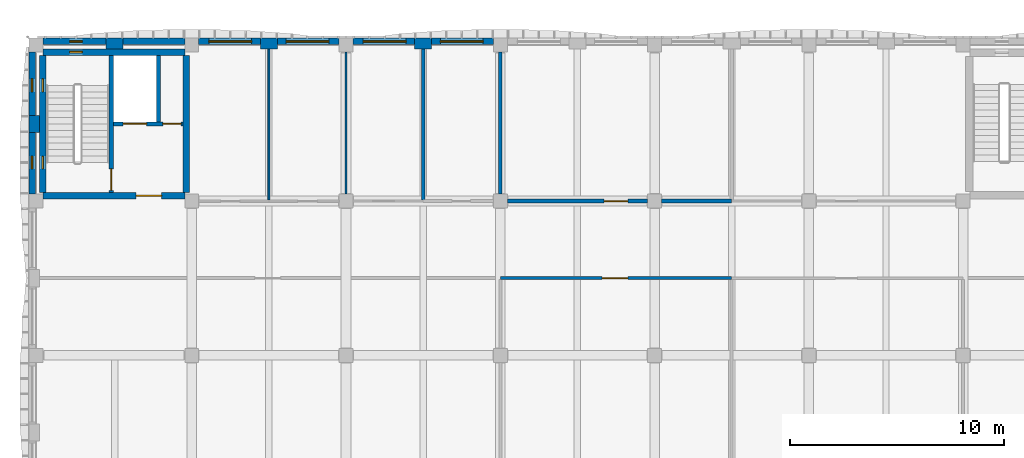
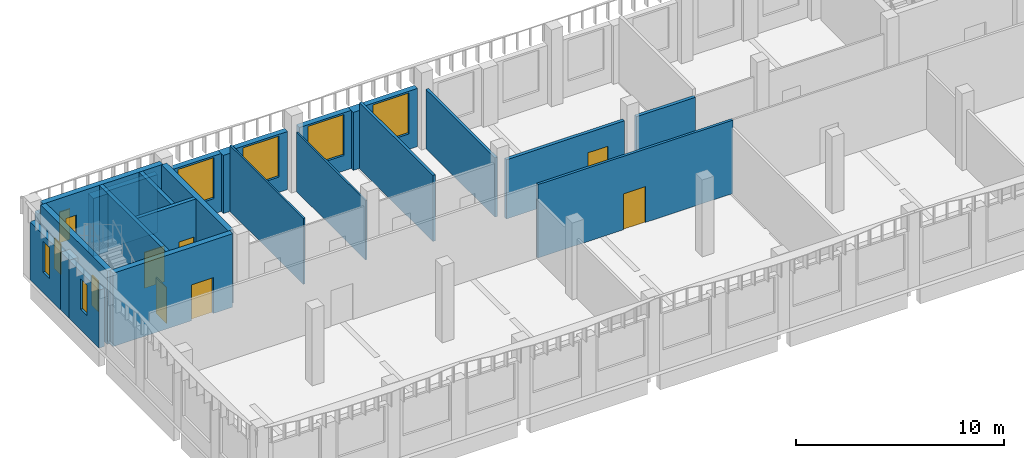
# One storey, part 27 of 58: 26 walls, 10 windows, 6 doors, 16 openings.
"""IFC4 building model written with IfcOpenShell, lengths in metres."""

from ifc_helpers import new_model, si_unit, direction, frame, frame_2d, origin, place, context, subcontext, project, spatial, rectangle, extrude, material, layer, layer_set, type_object, element, fill, save


model = new_model("IFC4")

# Units and contexts
model_context = context("Model", 3, precision=1e-05, world=origin(), true_north=direction((0.0, 1.0)))
body_context = subcontext(model_context, "Body", "Model", "MODEL_VIEW")
ifc_project = project(units=[si_unit("LENGTHUNIT", "METRE"), si_unit("AREAUNIT", "SQUARE_METRE"), si_unit("VOLUMEUNIT", "CUBIC_METRE"), si_unit("PLANEANGLEUNIT", "RADIAN"), si_unit("MASSUNIT", "GRAM", prefix="KILO")], contexts=[model_context])

# Site, building, storey
site_placement = place(None, origin())
site = spatial("IfcSite", under=ifc_project, at=site_placement, CompositionType="ELEMENT")
building_placement = place(site_placement, origin())
building = spatial("IfcBuilding", under=site, at=building_placement, Name="Ussher Court Research Institute", CompositionType="ELEMENT")
storey_placement = place(building_placement, frame((0.0, 0.0, 9.89990234375)))
storey = spatial("IfcBuildingStorey", under=building, at=storey_placement, Name="L02", CompositionType="ELEMENT", Elevation=9.89990234375)

# Wall, opening, door
ifc_material_1 = material(Name="Plasterboard on steel studs with mineral wool", Category="steel")
ifc_layer_1 = layer(ifc_material_1, 0.179931640625)
ifc_layer_set_1 = layer_set([ifc_layer_1], Name="Plasterboard on steel studs with mineral wool")
wall_type_1 = type_object("IfcWallType", Name="Acoustic twin-stud partition 180", PredefinedType="PARTITIONING", material=ifc_layer_set_1)
wall_1_placement = place(storey_placement, frame((24.925048828125, 83.199951171875, 0.0), z_axis=(0.0, 0.0, 1.0), x_axis=(1.0, 0.0, 0.0)))
wall_1 = element("IfcWall", 1, at=wall_1_placement, inside=storey, type_object=wall_type_1, Name="Partition", PredefinedType="PARTITIONING", context=body_context, shape_type="SweptSolid", body=[
    extrude(rectangle(XDim=6.550048828125, YDim=0.179931640625, at=frame_2d((3.27490234375, 0.0))), origin(), (0.0, 0.0, 1.0), 3.47021484375),
])
opening_1_placement = place(wall_1_placement, frame((4.52490234375, 0.0, 0.0)))
opening_1 = element("IfcOpeningElement", 2, at=opening_1_placement, cuts=wall_1, Name="Opening D02010", PredefinedType="OPENING", context=body_context, shape_type="SweptSolid", body=[
    extrude(rectangle(XDim=1.10009765625, YDim=2.300048828125, at=frame_2d((0.550048828125, 1.14990234375))), frame((0.0, 0.10009765625, 0.0), z_axis=(0.0, -1.0, 0.0), x_axis=(1.0, 0.0, 0.0)), (0.0, 0.0, 1.0), 0.199951171875),
])
ifc_material_2 = material(Name="Veneered timber door", Category="wood")
door_type_1 = type_object("IfcDoorType", Name="Seminar room door 1100x2300", OperationType="NOTDEFINED", PredefinedType="DOOR", material=ifc_material_2)
door_1_placement = place(opening_1_placement, origin())
door_1 = element("IfcDoor", 3, at=door_1_placement, inside=storey, type_object=door_type_1, Name="Door D02010", OperationType="SINGLE_SWING_RIGHT", OverallHeight=2.300048828125, OverallWidth=1.10009765625, PredefinedType="DOOR", context=body_context, shape_type="SweptSolid", body=[
    extrude(rectangle(XDim=1.10009765625, YDim=2.300048828125, at=frame_2d((0.550048828125, 1.14990234375))), frame((0.0, 0.02490234375, 0.0), z_axis=(0.0, -1.0, 0.0), x_axis=(1.0, 0.0, 0.0)), (0.0, 0.0, 1.0), 0.050048828125),
])
fill(opening_1, door_1)

# Wall
wall_2_placement = place(storey_placement, frame((32.125, 83.199951171875, 0.0), z_axis=(0.0, 0.0, 1.0), x_axis=(1.0, 0.0, 0.0)))
element("IfcWall", 4, at=wall_2_placement, inside=storey, type_object=wall_type_1, Name="Partition", PredefinedType="PARTITIONING", context=body_context, shape_type="SweptSolid", body=[
    extrude(rectangle(XDim=3.27490234375, YDim=0.179931640625, at=frame_2d((1.637451171875, 0.0))), origin(), (0.0, 0.0, 1.0), 3.47021484375),
])

# Wall, opening, window
ifc_material_3 = material(Name="Blockwork with cream render", Category="masonry")
ifc_layer_2 = layer(ifc_material_3, 0.300048828125)
ifc_layer_set_2 = layer_set([ifc_layer_2], Name="Blockwork with cream render")
wall_type_2 = type_object("IfcWallType", Name="External wall 300 cream render", PredefinedType="SOLIDWALL", material=ifc_layer_set_2)
wall_3_placement = place(storey_placement, frame((10.52490234375, 90.64990234375, 0.0), z_axis=(0.0, 0.0, 1.0), x_axis=(1.0, 0.0, 0.0)))
wall_3 = element("IfcWall", 5, at=wall_3_placement, inside=storey, type_object=wall_type_2, Name="External wall EW1 L02", PredefinedType="SOLIDWALL", context=body_context, shape_type="SweptSolid", body=[
    extrude(rectangle(XDim=2.875, YDim=0.300048828125, at=frame_2d((1.4375, 0.0))), origin(), (0.0, 0.0, 1.0), 3.400146484375),
])
opening_2_placement = place(wall_3_placement, frame((0.47509765625, 0.0, 0.89990234375)))
opening_2 = element("IfcOpeningElement", 6, at=opening_2_placement, cuts=wall_3, Name="Opening W14", PredefinedType="OPENING", context=body_context, shape_type="SweptSolid", body=[
    extrude(rectangle(XDim=2.0, YDim=2.39990234375, at=frame_2d((1.0, 1.199951171875))), frame((0.0, 0.16015625, 0.0), z_axis=(0.0, -1.0, 0.0), x_axis=(1.0, 0.0, 0.0)), (0.0, 0.0, 1.0), 0.320068359375),
])
ifc_material_4 = material(Name="Bronze anodised aluminium with double glazing", Category="aluminium")
window_type_1 = type_object("IfcWindowType", Name="Seminar and write-up office window 2000x2400", PartitioningType="DOUBLE_PANEL_VERTICAL", PredefinedType="WINDOW", material=ifc_material_4)
window_1_placement = place(opening_2_placement, origin())
window_1 = element("IfcWindow", 7, at=window_1_placement, inside=storey, type_object=window_type_1, Name="Window W14 L02", OverallHeight=2.39990234375, OverallWidth=2.0, PartitioningType="SINGLE_PANEL", PredefinedType="WINDOW", context=body_context, shape_type="SweptSolid", body=[
    extrude(rectangle(XDim=2.0, YDim=2.39990234375, at=frame_2d((1.0, 1.199951171875))), frame((0.0, 0.030029296875, 0.0), z_axis=(0.0, -1.0, 0.0), x_axis=(1.0, 0.0, 0.0)), (0.0, 0.0, 1.0), 0.06005859375),
])
fill(opening_2, window_1)

wall_4_placement = place(storey_placement, frame((14.199951171875, 90.64990234375, 0.0), z_axis=(0.0, 0.0, 1.0), x_axis=(1.0, 0.0, 0.0)))
wall_4 = element("IfcWall", 8, at=wall_4_placement, inside=storey, type_object=wall_type_2, Name="External wall EW1 L02", PredefinedType="SOLIDWALL", context=body_context, shape_type="SweptSolid", body=[
    extrude(rectangle(XDim=2.875, YDim=0.300048828125, at=frame_2d((1.4375, 0.0))), origin(), (0.0, 0.0, 1.0), 3.400146484375),
])
opening_3_placement = place(wall_4_placement, frame((0.39990234375, 0.0, 0.89990234375)))
opening_3 = element("IfcOpeningElement", 9, at=opening_3_placement, cuts=wall_4, Name="Opening W14", PredefinedType="OPENING", context=body_context, shape_type="SweptSolid", body=[
    extrude(rectangle(XDim=2.0, YDim=2.39990234375, at=frame_2d((1.0, 1.199951171875))), frame((0.0, 0.16015625, 0.0), z_axis=(0.0, -1.0, 0.0), x_axis=(1.0, 0.0, 0.0)), (0.0, 0.0, 1.0), 0.320068359375),
])
window_2_placement = place(opening_3_placement, origin())
window_2 = element("IfcWindow", 10, at=window_2_placement, inside=storey, type_object=window_type_1, Name="Window W14 L02", OverallHeight=2.39990234375, OverallWidth=2.0, PartitioningType="SINGLE_PANEL", PredefinedType="WINDOW", context=body_context, shape_type="SweptSolid", body=[
    extrude(rectangle(XDim=2.0, YDim=2.39990234375, at=frame_2d((1.0, 1.199951171875))), frame((0.0, 0.030029296875, 0.0), z_axis=(0.0, -1.0, 0.0), x_axis=(1.0, 0.0, 0.0)), (0.0, 0.0, 1.0), 0.06005859375),
])
fill(opening_3, window_2)

wall_5_placement = place(storey_placement, frame((17.72509765625, 90.64990234375, 0.0), z_axis=(0.0, 0.0, 1.0), x_axis=(1.0, 0.0, 0.0)))
wall_5 = element("IfcWall", 11, at=wall_5_placement, inside=storey, type_object=wall_type_2, Name="External wall EW1 L02", PredefinedType="SOLIDWALL", context=body_context, shape_type="SweptSolid", body=[
    extrude(rectangle(XDim=2.875, YDim=0.300048828125, at=frame_2d((1.4375, 0.0))), origin(), (0.0, 0.0, 1.0), 3.400146484375),
])
opening_4_placement = place(wall_5_placement, frame((0.47509765625, 0.0, 0.89990234375)))
opening_4 = element("IfcOpeningElement", 12, at=opening_4_placement, cuts=wall_5, Name="Opening W14", PredefinedType="OPENING", context=body_context, shape_type="SweptSolid", body=[
    extrude(rectangle(XDim=2.0, YDim=2.39990234375, at=frame_2d((1.0, 1.199951171875))), frame((0.0, 0.16015625, 0.0), z_axis=(0.0, -1.0, 0.0), x_axis=(1.0, 0.0, 0.0)), (0.0, 0.0, 1.0), 0.320068359375),
])
window_3_placement = place(opening_4_placement, origin())
window_3 = element("IfcWindow", 13, at=window_3_placement, inside=storey, type_object=window_type_1, Name="Window W14 L02", OverallHeight=2.39990234375, OverallWidth=2.0, PartitioningType="SINGLE_PANEL", PredefinedType="WINDOW", context=body_context, shape_type="SweptSolid", body=[
    extrude(rectangle(XDim=2.0, YDim=2.39990234375, at=frame_2d((1.0, 1.199951171875))), frame((0.0, 0.030029296875, 0.0), z_axis=(0.0, -1.0, 0.0), x_axis=(1.0, 0.0, 0.0)), (0.0, 0.0, 1.0), 0.06005859375),
])
fill(opening_4, window_3)

wall_6_placement = place(storey_placement, frame((21.39990234375, 90.64990234375, 0.0), z_axis=(0.0, 0.0, 1.0), x_axis=(1.0, 0.0, 0.0)))
wall_6 = element("IfcWall", 14, at=wall_6_placement, inside=storey, type_object=wall_type_2, Name="External wall EW1 L02", PredefinedType="SOLIDWALL", context=body_context, shape_type="SweptSolid", body=[
    extrude(rectangle(XDim=2.875, YDim=0.300048828125, at=frame_2d((1.4375, 0.0))), origin(), (0.0, 0.0, 1.0), 3.400146484375),
])
opening_5_placement = place(wall_6_placement, frame((0.39990234375, 0.0, 0.89990234375)))
opening_5 = element("IfcOpeningElement", 15, at=opening_5_placement, cuts=wall_6, Name="Opening W14", PredefinedType="OPENING", context=body_context, shape_type="SweptSolid", body=[
    extrude(rectangle(XDim=2.0, YDim=2.39990234375, at=frame_2d((1.0, 1.199951171875))), frame((0.0, 0.16015625, 0.0), z_axis=(0.0, -1.0, 0.0), x_axis=(1.0, 0.0, 0.0)), (0.0, 0.0, 1.0), 0.320068359375),
])
window_4_placement = place(opening_5_placement, origin())
window_4 = element("IfcWindow", 16, at=window_4_placement, inside=storey, type_object=window_type_1, Name="Window W14 L02", OverallHeight=2.39990234375, OverallWidth=2.0, PartitioningType="SINGLE_PANEL", PredefinedType="WINDOW", context=body_context, shape_type="SweptSolid", body=[
    extrude(rectangle(XDim=2.0, YDim=2.39990234375, at=frame_2d((1.0, 1.199951171875))), frame((0.0, 0.030029296875, 0.0), z_axis=(0.0, -1.0, 0.0), x_axis=(1.0, 0.0, 0.0)), (0.0, 0.0, 1.0), 0.06005859375),
])
fill(opening_5, window_4)

ifc_material_5 = material(Name="Limestone facing on blockwork", Category="masonry")
ifc_layer_3 = layer(ifc_material_5, 0.300048828125)
ifc_layer_set_3 = layer_set([ifc_layer_3], Name="Limestone facing on blockwork")
wall_type_3 = type_object("IfcWallType", Name="External wall 300 stair enclosure", PredefinedType="SOLIDWALL", material=ifc_layer_set_3)
wall_7_placement = place(storey_placement, frame((3.25, 90.64990234375, 0.0), z_axis=(0.0, 0.0, 1.0), x_axis=(1.0, 0.0, 0.0)))
wall_7 = element("IfcWall", 17, at=wall_7_placement, inside=storey, type_object=wall_type_3, Name="External wall EW5 L02", PredefinedType="SOLIDWALL", context=body_context, shape_type="SweptSolid", body=[
    extrude(rectangle(XDim=2.949951171875, YDim=0.300048828125, at=frame_2d((1.47509765625, 0.0))), origin(), (0.0, 0.0, 1.0), 3.400146484375),
])
opening_6_placement = place(wall_7_placement, frame((1.25, 0.0, 1.199951171875)))
opening_6 = element("IfcOpeningElement", 18, at=opening_6_placement, cuts=wall_7, Name="Opening W25", PredefinedType="OPENING", context=body_context, shape_type="SweptSolid", body=[
    extrude(rectangle(XDim=0.60009765625, YDim=1.800048828125, at=frame_2d((0.300048828125, 0.89990234375))), frame((0.0, 0.16015625, 0.0), z_axis=(0.0, -1.0, 0.0), x_axis=(1.0, 0.0, 0.0)), (0.0, 0.0, 1.0), 0.320068359375),
])
ifc_material_6 = material(Name="Bronze anodised aluminium with double glazing", Category="aluminium")
window_type_2 = type_object("IfcWindowType", Name="Stair light slot window 600x1800 fire-resisting glazing", PartitioningType="SINGLE_PANEL", PredefinedType="WINDOW", material=ifc_material_6)
window_5_placement = place(opening_6_placement, origin())
window_5 = element("IfcWindow", 19, at=window_5_placement, inside=storey, type_object=window_type_2, Name="Window W25 L02", OverallHeight=1.800048828125, OverallWidth=0.60009765625, PartitioningType="SINGLE_PANEL", PredefinedType="WINDOW", context=body_context, shape_type="SweptSolid", body=[
    extrude(rectangle(XDim=0.60009765625, YDim=1.800048828125, at=frame_2d((0.300048828125, 0.89990234375))), frame((0.0, 0.030029296875, 0.0), z_axis=(0.0, -1.0, 0.0), x_axis=(1.0, 0.0, 0.0)), (0.0, 0.0, 1.0), 0.06005859375),
])
fill(opening_6, window_5)

# Wall
wall_8_placement = place(storey_placement, frame((7.0, 90.64990234375, 0.0), z_axis=(0.0, 0.0, 1.0), x_axis=(1.0, 0.0, 0.0)))
element("IfcWall", 20, at=wall_8_placement, inside=storey, type_object=wall_type_3, Name="External wall EW5 L02", PredefinedType="SOLIDWALL", context=body_context, shape_type="SweptSolid", body=[
    extrude(rectangle(XDim=2.875, YDim=0.300048828125, at=frame_2d((1.4375, 0.0))), origin(), (0.0, 0.0, 1.0), 3.400146484375),
])

# Wall, opening, window
wall_9_placement = place(storey_placement, frame((2.75, 83.52490234375, 0.0), z_axis=(0.0, 0.0, 1.0), x_axis=(0.0, 1.0, 0.0)))
wall_9 = element("IfcWall", 21, at=wall_9_placement, inside=storey, type_object=wall_type_3, Name="External wall EW5 L02", PredefinedType="SOLIDWALL", context=body_context, shape_type="SweptSolid", body=[
    extrude(rectangle(XDim=2.875, YDim=0.300048828125, at=frame_2d((1.4375, 0.0))), origin(), (0.0, 0.0, 1.0), 3.400146484375),
])
opening_7_placement = place(wall_9_placement, frame((1.175048828125, 0.0, 1.199951171875)))
opening_7 = element("IfcOpeningElement", 22, at=opening_7_placement, cuts=wall_9, Name="Opening W25", PredefinedType="OPENING", context=body_context, shape_type="SweptSolid", body=[
    extrude(rectangle(XDim=0.60009765625, YDim=1.800048828125, at=frame_2d((0.300048828125, 0.89990234375))), frame((0.0, 0.16015625, 0.0), z_axis=(0.0, -1.0, 0.0), x_axis=(1.0, 0.0, 0.0)), (0.0, 0.0, 1.0), 0.320068359375),
])
window_6_placement = place(opening_7_placement, origin())
window_6 = element("IfcWindow", 23, at=window_6_placement, inside=storey, type_object=window_type_2, Name="Window W25 L02", OverallHeight=1.800048828125, OverallWidth=0.60009765625, PartitioningType="SINGLE_PANEL", PredefinedType="WINDOW", context=body_context, shape_type="SweptSolid", body=[
    extrude(rectangle(XDim=0.60009765625, YDim=1.800048828125, at=frame_2d((0.300048828125, 0.89990234375))), frame((0.0, 0.030029296875, 0.0), z_axis=(0.0, -1.0, 0.0), x_axis=(1.0, 0.0, 0.0)), (0.0, 0.0, 1.0), 0.06005859375),
])
fill(opening_7, window_6)

wall_10_placement = place(storey_placement, frame((2.75, 87.199951171875, 0.0), z_axis=(0.0, 0.0, 1.0), x_axis=(0.0, 1.0, 0.0)))
wall_10 = element("IfcWall", 24, at=wall_10_placement, inside=storey, type_object=wall_type_3, Name="External wall EW5 L02", PredefinedType="SOLIDWALL", context=body_context, shape_type="SweptSolid", body=[
    extrude(rectangle(XDim=2.949951171875, YDim=0.300048828125, at=frame_2d((1.47509765625, 0.0))), origin(), (0.0, 0.0, 1.0), 3.400146484375),
])
opening_8_placement = place(wall_10_placement, frame((1.10009765625, 0.0, 1.199951171875)))
opening_8 = element("IfcOpeningElement", 25, at=opening_8_placement, cuts=wall_10, Name="Opening W25", PredefinedType="OPENING", context=body_context, shape_type="SweptSolid", body=[
    extrude(rectangle(XDim=0.60009765625, YDim=1.800048828125, at=frame_2d((0.300048828125, 0.89990234375))), frame((0.0, 0.16015625, 0.0), z_axis=(0.0, -1.0, 0.0), x_axis=(1.0, 0.0, 0.0)), (0.0, 0.0, 1.0), 0.320068359375),
])
window_7_placement = place(opening_8_placement, origin())
window_7 = element("IfcWindow", 26, at=window_7_placement, inside=storey, type_object=window_type_2, Name="Window W25 L02", OverallHeight=1.800048828125, OverallWidth=0.60009765625, PartitioningType="SINGLE_PANEL", PredefinedType="WINDOW", context=body_context, shape_type="SweptSolid", body=[
    extrude(rectangle(XDim=0.60009765625, YDim=1.800048828125, at=frame_2d((0.300048828125, 0.89990234375))), frame((0.0, 0.030029296875, 0.0), z_axis=(0.0, -1.0, 0.0), x_axis=(1.0, 0.0, 0.0)), (0.0, 0.0, 1.0), 0.06005859375),
])
fill(opening_8, window_7)

# Walls
ifc_material_7 = material(Name="Plastered blockwork", Category="masonry")
ifc_layer_4 = layer(ifc_material_7, 0.14990234375)
ifc_layer_set_4 = layer_set([ifc_layer_4], Name="Plastered blockwork")
wall_type_4 = type_object("IfcWallType", Name="Fire partition blockwork 150 EI 60", PredefinedType="PARTITIONING", material=ifc_layer_set_4)
wall_11_placement = place(storey_placement, frame((21.0, 83.2451171875, 0.0), z_axis=(0.0, 0.0, 1.0), x_axis=(0.0, 1.0, 0.0)))
element("IfcWall", 27, at=wall_11_placement, inside=storey, type_object=wall_type_4, Name="Fire partition", PredefinedType="PARTITIONING", context=body_context, shape_type="SweptSolid", body=[
    extrude(rectangle(XDim=7.054931640625, YDim=0.14990234375, at=frame_2d((3.52734375, 0.0))), origin(), (0.0, 0.0, 1.0), 3.8701171875),
])
wall_12_placement = place(storey_placement, frame((24.60009765625, 83.52490234375, 0.0), z_axis=(0.0, 0.0, 1.0), x_axis=(0.0, 1.0, 0.0)))
element("IfcWall", 28, at=wall_12_placement, inside=storey, type_object=wall_type_4, Name="Fire partition", PredefinedType="PARTITIONING", context=body_context, shape_type="SweptSolid", body=[
    extrude(rectangle(XDim=6.625, YDim=0.14990234375, at=frame_2d((3.3125, 0.0))), origin(), (0.0, 0.0, 1.0), 3.47021484375),
])

# Wall, opening, door
ifc_material_8 = material(Name="Plastered blockwork", Category="masonry")
ifc_layer_5 = layer(ifc_material_8, 0.139892578125)
ifc_layer_set_5 = layer_set([ifc_layer_5], Name="Plastered blockwork")
wall_type_5 = type_object("IfcWallType", Name="Laboratory blockwork partition 140", PredefinedType="PARTITIONING", material=ifc_layer_set_5)
wall_13_placement = place(storey_placement, frame((35.39990234375, 79.60009765625, 0.0), z_axis=(0.0, 0.0, 1.0), x_axis=(-1.0, 0.0, 0.0)))
wall_13 = element("IfcWall", 29, at=wall_13_placement, inside=storey, type_object=wall_type_5, Name="Partition", PredefinedType="PARTITIONING", context=body_context, shape_type="SweptSolid", body=[
    extrude(rectangle(XDim=10.7998046875, YDim=0.139892578125, at=frame_2d((5.39990234375, 0.0))), origin(), (0.0, 0.0, 1.0), 4.300048828125),
])
opening_9_placement = place(wall_13_placement, frame((4.85009765625, 0.0, 0.0)))
opening_9 = element("IfcOpeningElement", 30, at=opening_9_placement, cuts=wall_13, Name="Opening D02009", PredefinedType="OPENING", context=body_context, shape_type="SweptSolid", body=[
    extrude(rectangle(XDim=1.199951171875, YDim=2.10009765625, at=frame_2d((0.60009765625, 1.050048828125))), frame((0.0, 0.080078125, 0.0), z_axis=(0.0, -1.0, 0.0), x_axis=(1.0, 0.0, 0.0)), (0.0, 0.0, 1.0), 0.159912109375),
])
ifc_material_9 = material(Name="Veneered timber door", Category="wood")
door_type_2 = type_object("IfcDoorType", Name="Laboratory door 1200x2100", OperationType="NOTDEFINED", PredefinedType="DOOR", material=ifc_material_9)
door_2_placement = place(opening_9_placement, origin())
door_2 = element("IfcDoor", 31, at=door_2_placement, inside=storey, type_object=door_type_2, Name="Door D02009", OperationType="SINGLE_SWING_RIGHT", OverallHeight=2.10009765625, OverallWidth=1.199951171875, PredefinedType="DOOR", context=body_context, shape_type="SweptSolid", body=[
    extrude(rectangle(XDim=1.199951171875, YDim=2.10009765625, at=frame_2d((0.60009765625, 1.050048828125))), frame((0.0, 0.02490234375, 0.0), z_axis=(0.0, -1.0, 0.0), x_axis=(1.0, 0.0, 0.0)), (0.0, 0.0, 1.0), 0.050048828125),
])
fill(opening_9, door_2)

# Walls
ifc_material_10 = material(Name="Blockwork with cream render", Category="masonry")
ifc_layer_6 = layer(ifc_material_10, 0.5)
ifc_layer_set_6 = layer_set([ifc_layer_6], Name="Blockwork with cream render")
wall_type_6 = type_object("IfcWallType", Name="Pier 800x500 cream render", PredefinedType="SOLIDWALL", material=ifc_layer_set_6)
for number, where, z_axis, x_axis, name in (
    (32, (6.199951171875, 90.550048828125, 0.0), (0.0, 0.0, 1.0), (1.0, 0.0, 0.0), "Pier PR1 L02"),
    (33, (13.39990234375, 90.550048828125, 0.0), (0.0, 0.0, 1.0), (1.0, 0.0, 0.0), "Pier PR1 L02"),
):
    element("IfcWall", number, at=place(storey_placement, frame(where, z_axis=z_axis, x_axis=x_axis)), inside=storey, type_object=wall_type_6, Name=name, PredefinedType="SOLIDWALL", context=body_context, shape_type="SweptSolid", body=[
        extrude(rectangle(XDim=0.800048828125, YDim=0.5, at=frame_2d((0.39990234375, 0.0))), origin(), (0.0, 0.0, 1.0), 3.400146484375),
    ])
wall_14_placement = place(storey_placement, frame((20.60009765625, 90.550048828125, 0.0), z_axis=(0.0, 0.0, 1.0), x_axis=(1.0, 0.0, 0.0)))
element("IfcWall", 34, at=wall_14_placement, inside=storey, type_object=wall_type_6, Name="Pier PR1 L02", PredefinedType="SOLIDWALL", context=body_context, shape_type="SweptSolid", body=[
    extrude(rectangle(XDim=0.7998046875, YDim=0.5, at=frame_2d((0.39990234375, 0.0))), origin(), (0.0, 0.0, 1.0), 3.400146484375),
])
wall_15_placement = place(storey_placement, frame((2.85009765625, 86.39990234375, 0.0), z_axis=(0.0, 0.0, 1.0), x_axis=(0.0, 1.0, 0.0)))
element("IfcWall", 35, at=wall_15_placement, inside=storey, type_object=wall_type_6, Name="Pier PR1 L02", PredefinedType="SOLIDWALL", context=body_context, shape_type="SweptSolid", body=[
    extrude(rectangle(XDim=0.800048828125, YDim=0.5, at=frame_2d((0.39990234375, 0.0))), origin(), (0.0, 0.0, 1.0), 3.400146484375),
])

# Wall, opening, door
ifc_material_11 = material(Name="Concrete C35/45", Category="concrete")
ifc_layer_7 = layer(ifc_material_11, 0.199951171875)
ifc_layer_set_7 = layer_set([ifc_layer_7], Name="Concrete C35/45")
wall_type_7 = type_object("IfcWallType", Name="RC core wall 200", PredefinedType="SHEAR", material=ifc_layer_set_7)
wall_16_placement = place(storey_placement, frame((6.449951171875, 83.60009765625, 0.0), z_axis=(0.0, 0.0, 1.0), x_axis=(0.0, 1.0, 0.0)))
wall_16 = element("IfcWall", 36, at=wall_16_placement, inside=storey, type_object=wall_type_7, Name="Core wall D1", PredefinedType="SHEAR", context=body_context, shape_type="SweptSolid", body=[
    extrude(rectangle(XDim=6.39990234375, YDim=0.199951171875, at=frame_2d((3.199951171875, 0.0))), origin(), (0.0, 0.0, 1.0), 4.300048828125),
])
opening_10_placement = place(wall_16_placement, frame((0.10009765625, 0.0, 0.0)))
opening_10 = element("IfcOpeningElement", 37, at=opening_10_placement, cuts=wall_16, Name="Opening D02001", PredefinedType="OPENING", context=body_context, shape_type="SweptSolid", body=[
    extrude(rectangle(XDim=1.0, YDim=2.10009765625, at=frame_2d((0.5, 1.050048828125))), frame((0.0, 0.10986328125, 0.0), z_axis=(0.0, -1.0, 0.0), x_axis=(1.0, 0.0, 0.0)), (0.0, 0.0, 1.0), 0.219970703125),
])
ifc_material_12 = material(Name="Painted steel faced fire door", Category="steel")
door_type_3 = type_object("IfcDoorType", Name="Fire door 1000x2100 FD60", OperationType="NOTDEFINED", PredefinedType="DOOR", material=ifc_material_12)
door_3_placement = place(opening_10_placement, origin())
door_3 = element("IfcDoor", 38, at=door_3_placement, inside=storey, type_object=door_type_3, Name="Door D02001", OperationType="SINGLE_SWING_LEFT", OverallHeight=2.10009765625, OverallWidth=1.0, PredefinedType="DOOR", context=body_context, shape_type="SweptSolid", body=[
    extrude(rectangle(XDim=1.0, YDim=2.10009765625, at=frame_2d((0.5, 1.050048828125))), frame((0.0, 0.02490234375, 0.0), z_axis=(0.0, -1.0, 0.0), x_axis=(1.0, 0.0, 0.0)), (0.0, 0.0, 1.0), 0.050048828125),
])
fill(opening_10, door_3)

# Wall, openings, doors
wall_17_placement = place(storey_placement, frame((9.800048828125, 86.800048828125, 0.0), z_axis=(0.0, 0.0, 1.0), x_axis=(-1.0, 0.0, 0.0)))
wall_17 = element("IfcWall", 39, at=wall_17_placement, inside=storey, type_object=wall_type_7, Name="Core wall D1", PredefinedType="SHEAR", context=body_context, shape_type="SweptSolid", body=[
    extrude(rectangle(XDim=3.25, YDim=0.199951171875, at=frame_2d((1.625, 0.0))), origin(), (0.0, 0.0, 1.0), 4.300048828125),
])
opening_11_placement = place(wall_17_placement, frame((1.699951171875, 0.0, 0.0)))
opening_11 = element("IfcOpeningElement", 40, at=opening_11_placement, cuts=wall_17, Name="Opening LD27", PredefinedType="OPENING", context=body_context, shape_type="SweptSolid", body=[
    extrude(rectangle(XDim=1.10009765625, YDim=2.10009765625, at=frame_2d((0.550048828125, 1.050048828125))), frame((0.0, 0.10986328125, 0.0), z_axis=(0.0, -1.0, 0.0), x_axis=(1.0, 0.0, 0.0)), (0.0, 0.0, 1.0), 0.219970703125),
])
opening_12_placement = place(wall_17_placement, frame((0.10009765625, 0.0, 0.0)))
opening_12 = element("IfcOpeningElement", 41, at=opening_12_placement, cuts=wall_17, Name="Opening D02003", PredefinedType="OPENING", context=body_context, shape_type="SweptSolid", body=[
    extrude(rectangle(XDim=0.85009765625, YDim=2.10009765625, at=frame_2d((0.425048828125, 1.050048828125))), frame((0.0, 0.10986328125, 0.0), z_axis=(0.0, -1.0, 0.0), x_axis=(1.0, 0.0, 0.0)), (0.0, 0.0, 1.0), 0.219970703125),
])
ifc_material_13 = material(Name="Painted steel faced fire door", Category="steel")
door_type_4 = type_object("IfcDoorType", Name="Fire door 850x2100 FD60", OperationType="NOTDEFINED", PredefinedType="DOOR", material=ifc_material_13)
door_4_placement = place(opening_12_placement, origin())
door_4 = element("IfcDoor", 42, at=door_4_placement, inside=storey, type_object=door_type_4, Name="Door D02003", OperationType="SINGLE_SWING_LEFT", OverallHeight=2.10009765625, OverallWidth=0.85009765625, PredefinedType="DOOR", context=body_context, shape_type="SweptSolid", body=[
    extrude(rectangle(XDim=0.85009765625, YDim=2.10009765625, at=frame_2d((0.425048828125, 1.050048828125))), frame((0.0, 0.02490234375, 0.0), z_axis=(0.0, -1.0, 0.0), x_axis=(1.0, 0.0, 0.0)), (0.0, 0.0, 1.0), 0.050048828125),
])
fill(opening_12, door_4)
ifc_material_14 = material(Name="Stainless steel lift door", Category="steel")
door_type_5 = type_object("IfcDoorType", Name="Lift landing door 1100x2100 sliding", OperationType="DOUBLE_DOOR_SLIDING", PredefinedType="DOOR", material=ifc_material_14)
door_5_placement = place(opening_11_placement, origin())
door_5 = element("IfcDoor", 43, at=door_5_placement, inside=storey, type_object=door_type_5, Name="Landing door D1-1 L02", OperationType="DOUBLE_DOOR_SLIDING", OverallHeight=2.10009765625, OverallWidth=1.10009765625, PredefinedType="DOOR", context=body_context, shape_type="SweptSolid", body=[
    extrude(rectangle(XDim=1.10009765625, YDim=2.10009765625, at=frame_2d((0.550048828125, 1.050048828125))), frame((0.0, 0.02490234375, 0.0), z_axis=(0.0, -1.0, 0.0), x_axis=(1.0, 0.0, 0.0)), (0.0, 0.0, 1.0), 0.050048828125),
])
fill(opening_11, door_5)

# Wall
wall_18_placement = place(storey_placement, frame((8.64990234375, 86.89990234375, 0.0), z_axis=(0.0, 0.0, 1.0), x_axis=(0.0, 1.0, 0.0)))
element("IfcWall", 44, at=wall_18_placement, inside=storey, type_object=wall_type_7, Name="Core wall D1", PredefinedType="SHEAR", context=body_context, shape_type="SweptSolid", body=[
    extrude(rectangle(XDim=3.10009765625, YDim=0.199951171875, at=frame_2d((1.550048828125, 0.0))), origin(), (0.0, 0.0, 1.0), 4.300048828125),
])

# Wall, opening, door
ifc_material_15 = material(Name="Concrete C35/45", Category="concrete")
ifc_layer_8 = layer(ifc_material_15, 0.300048828125)
ifc_layer_set_8 = layer_set([ifc_layer_8], Name="Concrete C35/45")
wall_type_8 = type_object("IfcWallType", Name="RC core wall 300", PredefinedType="SHEAR", material=ifc_layer_set_8)
wall_19_placement = place(storey_placement, frame((3.25, 83.449951171875, 0.0), z_axis=(0.0, 0.0, 1.0), x_axis=(1.0, 0.0, 0.0)))
wall_19 = element("IfcWall", 45, at=wall_19_placement, inside=storey, type_object=wall_type_8, Name="Core wall D1", PredefinedType="SHEAR", context=body_context, shape_type="SweptSolid", body=[
    extrude(rectangle(XDim=6.625, YDim=0.300048828125, at=frame_2d((3.3125, 0.0))), origin(), (0.0, 0.0, 1.0), 4.300048828125),
])
opening_13_placement = place(wall_19_placement, frame((4.35009765625, 0.0, 0.0)))
opening_13 = element("IfcOpeningElement", 46, at=opening_13_placement, cuts=wall_19, Name="Opening D02002", PredefinedType="OPENING", context=body_context, shape_type="SweptSolid", body=[
    extrude(rectangle(XDim=1.199951171875, YDim=2.10009765625, at=frame_2d((0.60009765625, 1.050048828125))), frame((0.0, 0.16015625, 0.0), z_axis=(0.0, -1.0, 0.0), x_axis=(1.0, 0.0, 0.0)), (0.0, 0.0, 1.0), 0.320068359375),
])
ifc_material_16 = material(Name="Painted steel faced fire door", Category="steel")
door_type_6 = type_object("IfcDoorType", Name="Fire door 1200x2100 FD60", OperationType="NOTDEFINED", PredefinedType="DOOR", material=ifc_material_16)
door_6_placement = place(opening_13_placement, origin())
door_6 = element("IfcDoor", 47, at=door_6_placement, inside=storey, type_object=door_type_6, Name="Door D02002", OperationType="SINGLE_SWING_RIGHT", OverallHeight=2.10009765625, OverallWidth=1.199951171875, PredefinedType="DOOR", context=body_context, shape_type="SweptSolid", body=[
    extrude(rectangle(XDim=1.199951171875, YDim=2.10009765625, at=frame_2d((0.60009765625, 1.050048828125))), frame((0.0, 0.02490234375, 0.0), z_axis=(0.0, -1.0, 0.0), x_axis=(1.0, 0.0, 0.0)), (0.0, 0.0, 1.0), 0.050048828125),
])
fill(opening_13, door_6)

# Wall, opening, window
wall_20_placement = place(storey_placement, frame((3.25, 90.14990234375, 0.0), z_axis=(0.0, 0.0, 1.0), x_axis=(1.0, 0.0, 0.0)))
wall_20 = element("IfcWall", 48, at=wall_20_placement, inside=storey, type_object=wall_type_8, Name="Core wall D1", PredefinedType="SHEAR", context=body_context, shape_type="SweptSolid", body=[
    extrude(rectangle(XDim=6.625, YDim=0.300048828125, at=frame_2d((3.3125, 0.0))), origin(), (0.0, 0.0, 1.0), 4.300048828125),
])
opening_14_placement = place(wall_20_placement, frame((1.25, 0.0, 1.199951171875)))
opening_14 = element("IfcOpeningElement", 49, at=opening_14_placement, cuts=wall_20, Name="Opening W25", PredefinedType="OPENING", context=body_context, shape_type="SweptSolid", body=[
    extrude(rectangle(XDim=0.60009765625, YDim=1.800048828125, at=frame_2d((0.300048828125, 0.89990234375))), frame((0.0, 0.16015625, 0.0), z_axis=(0.0, -1.0, 0.0), x_axis=(1.0, 0.0, 0.0)), (0.0, 0.0, 1.0), 0.320068359375),
])
window_8_placement = place(opening_14_placement, origin())
window_8 = element("IfcWindow", 50, at=window_8_placement, inside=storey, type_object=window_type_2, Name="Window stair light D1 L02", OverallHeight=1.800048828125, OverallWidth=0.60009765625, PartitioningType="SINGLE_PANEL", PredefinedType="WINDOW", context=body_context, shape_type="SweptSolid", body=[
    extrude(rectangle(XDim=0.60009765625, YDim=1.800048828125, at=frame_2d((0.300048828125, 0.89990234375))), frame((0.0, 0.030029296875, 0.0), z_axis=(0.0, -1.0, 0.0), x_axis=(1.0, 0.0, 0.0)), (0.0, 0.0, 1.0), 0.06005859375),
])
fill(opening_14, window_8)

# Wall, openings, windows
wall_21_placement = place(storey_placement, frame((3.25, 83.60009765625, 0.0), z_axis=(0.0, 0.0, 1.0), x_axis=(0.0, 1.0, 0.0)))
wall_21 = element("IfcWall", 51, at=wall_21_placement, inside=storey, type_object=wall_type_8, Name="Core wall D1", PredefinedType="SHEAR", context=body_context, shape_type="SweptSolid", body=[
    extrude(rectangle(XDim=6.39990234375, YDim=0.300048828125, at=frame_2d((3.199951171875, 0.0))), origin(), (0.0, 0.0, 1.0), 4.300048828125),
])
opening_15_placement = place(wall_21_placement, frame((1.10009765625, 0.0, 1.199951171875)))
opening_15 = element("IfcOpeningElement", 52, at=opening_15_placement, cuts=wall_21, Name="Opening W25", PredefinedType="OPENING", context=body_context, shape_type="SweptSolid", body=[
    extrude(rectangle(XDim=0.60009765625, YDim=1.800048828125, at=frame_2d((0.300048828125, 0.89990234375))), frame((0.0, 0.16015625, 0.0), z_axis=(0.0, -1.0, 0.0), x_axis=(1.0, 0.0, 0.0)), (0.0, 0.0, 1.0), 0.320068359375),
])
opening_16_placement = place(wall_21_placement, frame((4.699951171875, 0.0, 1.199951171875)))
opening_16 = element("IfcOpeningElement", 53, at=opening_16_placement, cuts=wall_21, Name="Opening W25", PredefinedType="OPENING", context=body_context, shape_type="SweptSolid", body=[
    extrude(rectangle(XDim=0.60009765625, YDim=1.800048828125, at=frame_2d((0.300048828125, 0.89990234375))), frame((0.0, 0.16015625, 0.0), z_axis=(0.0, -1.0, 0.0), x_axis=(1.0, 0.0, 0.0)), (0.0, 0.0, 1.0), 0.320068359375),
])
window_9_placement = place(opening_15_placement, origin())
window_9 = element("IfcWindow", 54, at=window_9_placement, inside=storey, type_object=window_type_2, Name="Window stair light D1 L02", OverallHeight=1.800048828125, OverallWidth=0.60009765625, PartitioningType="SINGLE_PANEL", PredefinedType="WINDOW", context=body_context, shape_type="SweptSolid", body=[
    extrude(rectangle(XDim=0.60009765625, YDim=1.800048828125, at=frame_2d((0.300048828125, 0.89990234375))), frame((0.0, 0.030029296875, 0.0), z_axis=(0.0, -1.0, 0.0), x_axis=(1.0, 0.0, 0.0)), (0.0, 0.0, 1.0), 0.06005859375),
])
fill(opening_15, window_9)
window_10_placement = place(opening_16_placement, origin())
window_10 = element("IfcWindow", 55, at=window_10_placement, inside=storey, type_object=window_type_2, Name="Window stair light D1 L02", OverallHeight=1.800048828125, OverallWidth=0.60009765625, PartitioningType="SINGLE_PANEL", PredefinedType="WINDOW", context=body_context, shape_type="SweptSolid", body=[
    extrude(rectangle(XDim=0.60009765625, YDim=1.800048828125, at=frame_2d((0.300048828125, 0.89990234375))), frame((0.0, 0.030029296875, 0.0), z_axis=(0.0, -1.0, 0.0), x_axis=(1.0, 0.0, 0.0)), (0.0, 0.0, 1.0), 0.06005859375),
])
fill(opening_16, window_10)

# Walls
wall_22_placement = place(storey_placement, frame((9.949951171875, 83.60009765625, 0.0), z_axis=(0.0, 0.0, 1.0), x_axis=(0.0, 1.0, 0.0)))
element("IfcWall", 56, at=wall_22_placement, inside=storey, type_object=wall_type_8, Name="Core wall D1", PredefinedType="SHEAR", context=body_context, shape_type="SweptSolid", body=[
    extrude(rectangle(XDim=6.39990234375, YDim=0.300048828125, at=frame_2d((3.199951171875, 0.0))), origin(), (0.0, 0.0, 1.0), 4.300048828125),
])
ifc_material_17 = material(Name="Moisture-resistant board on steel studs", Category="steel")
ifc_layer_9 = layer(ifc_material_17, 0.090087890625)
ifc_layer_set_9 = layer_set([ifc_layer_9], Name="Moisture-resistant board on steel studs")
wall_type_9 = type_object("IfcWallType", Name="WC lining partition 90", PredefinedType="PARTITIONING", material=ifc_layer_set_9)
wall_23_placement = place(storey_placement, frame((13.800048828125, 83.2451171875, 0.0), z_axis=(0.0, 0.0, 1.0), x_axis=(0.0, 1.0, 0.0)))
element("IfcWall", 57, at=wall_23_placement, inside=storey, type_object=wall_type_9, Name="Partition", PredefinedType="PARTITIONING", context=body_context, shape_type="SweptSolid", body=[
    extrude(rectangle(XDim=7.054931640625, YDim=0.090087890625, at=frame_2d((3.52734375, 0.0))), origin(), (0.0, 0.0, 1.0), 3.8701171875),
])
wall_24_placement = place(storey_placement, frame((17.39990234375, 83.52490234375, 0.0), z_axis=(0.0, 0.0, 1.0), x_axis=(0.0, 1.0, 0.0)))
element("IfcWall", 58, at=wall_24_placement, inside=storey, type_object=wall_type_9, Name="Partition", PredefinedType="PARTITIONING", context=body_context, shape_type="SweptSolid", body=[
    extrude(rectangle(XDim=6.625, YDim=0.090087890625, at=frame_2d((3.3125, 0.0))), origin(), (0.0, 0.0, 1.0), 3.47021484375),
])

save(model, "model.ifc")
